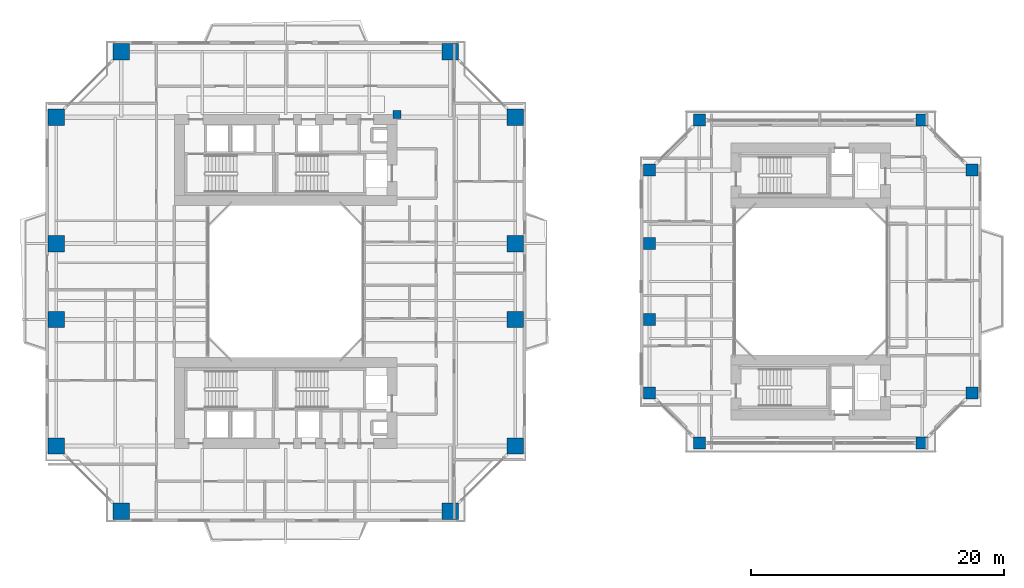
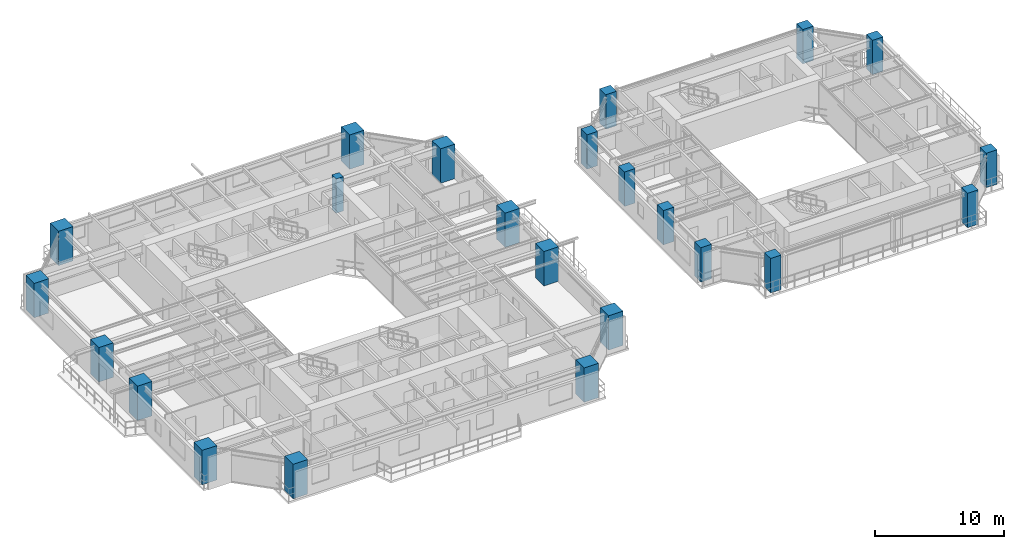
# One storey, part 1 of 23: 23 columns.
"""IFC4 building model written with IfcOpenShell, lengths in metres."""

from ifc_helpers import new_model, si_unit, direction, frame, origin, origin_2d, place, context, subcontext, project, spatial, rectangle, extrude, source, transform, mapped, material, material_profile, profile_set, type_object, element, save


model = new_model("IFC4")

# Units and contexts
model_context = context("Model", 3, precision=1e-05, world=origin(), true_north=direction((0.0, 1.0)))
body_context = subcontext(model_context, "Body", "Model", "MODEL_VIEW")
ifc_project = project(units=[si_unit("LENGTHUNIT", "METRE"), si_unit("AREAUNIT", "SQUARE_METRE"), si_unit("VOLUMEUNIT", "CUBIC_METRE"), si_unit("PLANEANGLEUNIT", "RADIAN"), si_unit("MASSUNIT", "GRAM", prefix="KILO"), si_unit("THERMODYNAMICTEMPERATUREUNIT", "KELVIN"), si_unit("POWERUNIT", "WATT")], contexts=[model_context])

# Site, building, storey
site_placement = place(None, origin())
site = spatial("IfcSite", under=ifc_project, at=site_placement, CompositionType="ELEMENT")
building_placement = place(site_placement, origin())
building = spatial("IfcBuilding", under=site, at=building_placement, Name="Qiaomeng Ring Towers", CompositionType="ELEMENT")
storey_placement = place(building_placement, frame((0.0, 0.0, 26.25)))
storey = spatial("IfcBuildingStorey", under=building, at=storey_placement, Name="L06", CompositionType="ELEMENT", Elevation=26.25)

# Columns
ifc_material_1 = material(Name="Concrete C50", Category="concrete")
ifc_material_profile_1 = material_profile(ifc_material_1, rectangle(XDim=0.64990234375, YDim=0.64990234375, at=origin_2d()), Name="RC COL 650x650")
ifc_profile_set_1 = profile_set([ifc_material_profile_1], Name="Concrete C50")
column_type_1 = type_object("IfcColumnType", Name="STR-PIL-650", PredefinedType="PILASTER", material=ifc_profile_set_1)
shared_shape_1 = source(origin(), body_context, "Body", "SweptSolid", [
    extrude(rectangle(XDim=0.64990234375, YDim=0.64990234375, at=origin_2d()), origin(), (0.0, 0.0, 1.0), 3.25),
])
column_placement = place(storey_placement, frame((27.800048828125, 36.199951171875, 0.0), z_axis=(0.0, 0.0, 1.0), x_axis=(1.0, 0.0, 0.0)))
element("IfcColumn", 1, at=column_placement, inside=storey, type_object=column_type_1, Name="L06 column STR-PIL-L06-N", PredefinedType="PILASTER", context=body_context, shape_type="MappedRepresentation", body=[
    mapped(shared_shape_1, transform((0.0, 0.0, 0.0), x_axis=(1.0, 0.0, 0.0), y_axis=(0.0, 1.0, 0.0), z_axis=(0.0, 0.0, 1.0), scale=1.0)),
])
ifc_material_2 = material(Name="Concrete C60", Category="concrete")
ifc_material_profile_2 = material_profile(ifc_material_2, rectangle(XDim=1.300048828125, YDim=1.300048828125, at=origin_2d()), Name="RC COL 1300x1300")
ifc_profile_set_2 = profile_set([ifc_material_profile_2], Name="Concrete C60")
column_type_2 = type_object("IfcColumnType", Name="STR-COL-1300", PredefinedType="COLUMN", material=ifc_profile_set_2)
shared_shape_2 = source(origin(), body_context, "Body", "SweptSolid", [
    extrude(rectangle(XDim=1.300048828125, YDim=1.300048828125, at=origin_2d()), origin(), (0.0, 0.0, 1.0), 3.25),
])
for number, where, z_axis, x_axis, name in (
    (2, (6.0, 4.85009765625, 0.0), (0.0, 0.0, 1.0), (1.0, 0.0, 0.0), "L06 column STR-COL-L06-T1-S1"),
    (3, (32.0, 4.85009765625, 0.0), (0.0, 0.0, 1.0), (1.0, 0.0, 0.0), "L06 column STR-COL-L06-T1-S2"),
    (4, (37.14990234375, 10.0, 0.0), (0.0, 0.0, 1.0), (1.0, 0.0, 0.0), "L06 column STR-COL-L06-T1-E1"),
    (5, (37.14990234375, 20.0, 0.0), (0.0, 0.0, 1.0), (1.0, 0.0, 0.0), "L06 column STR-COL-L06-T1-E2"),
    (6, (37.14990234375, 26.0, 0.0), (0.0, 0.0, 1.0), (1.0, 0.0, 0.0), "L06 column STR-COL-L06-T1-E3"),
    (7, (37.14990234375, 36.0, 0.0), (0.0, 0.0, 1.0), (1.0, 0.0, 0.0), "L06 column STR-COL-L06-T1-E4"),
    (8, (32.0, 41.14990234375, 0.0), (0.0, 0.0, 1.0), (1.0, 0.0, 0.0), "L06 column STR-COL-L06-T1-N2"),
    (9, (6.0, 41.14990234375, 0.0), (0.0, 0.0, 1.0), (1.0, 0.0, 0.0), "L06 column STR-COL-L06-T1-N1"),
    (10, (0.85009765625, 36.0, 0.0), (0.0, 0.0, 1.0), (1.0, 0.0, 0.0), "L06 column STR-COL-L06-T1-W4"),
    (11, (0.85009765625, 26.0, 0.0), (0.0, 0.0, 1.0), (1.0, 0.0, 0.0), "L06 column STR-COL-L06-T1-W3"),
    (12, (0.85009765625, 20.0, 0.0), (0.0, 0.0, 1.0), (1.0, 0.0, 0.0), "L06 column STR-COL-L06-T1-W2"),
    (13, (0.85009765625, 10.0, 0.0), (0.0, 0.0, 1.0), (1.0, 0.0, 0.0), "L06 column STR-COL-L06-T1-W1"),
):
    element("IfcColumn", number, at=place(storey_placement, frame(where, z_axis=z_axis, x_axis=x_axis)), inside=storey, type_object=column_type_2, Name=name, PredefinedType="COLUMN", context=body_context, shape_type="MappedRepresentation", body=[
        mapped(shared_shape_2, transform((0.0, 0.0, 0.0), x_axis=(1.0, 0.0, 0.0), y_axis=(0.0, 1.0, 0.0), z_axis=(0.0, 0.0, 1.0), scale=1.0)),
    ])
ifc_material_profile_3 = material_profile(ifc_material_2, rectangle(XDim=0.949951171875, YDim=0.949951171875, at=origin_2d()), Name="RC COL 950x950")
ifc_profile_set_3 = profile_set([ifc_material_profile_3], Name="Concrete C60")
column_type_3 = type_object("IfcColumnType", Name="STR-COL-950-C60", PredefinedType="COLUMN", material=ifc_profile_set_3)
shared_shape_3 = source(origin(), body_context, "Body", "SweptSolid", [
    extrude(rectangle(XDim=0.949951171875, YDim=0.949951171875, at=origin_2d()), origin(), (0.0, 0.0, 1.0), 3.25),
])
for number, where, z_axis, x_axis, name in (
    (14, (51.699951171875, 10.25, 0.0), (0.0, 0.0, 1.0), (1.0, 0.0, 0.0), "L06 column STR-COL-L06-T2-S1"),
    (15, (69.300048828125, 10.25, 0.0), (0.0, 0.0, 1.0), (1.0, 0.0, 0.0), "L06 column STR-COL-L06-T2-S2"),
    (16, (73.25, 14.199951171875, 0.0), (0.0, 0.0, 1.0), (1.0, 0.0, 0.0), "L06 column STR-COL-L06-T2-E1"),
    (17, (73.25, 31.800048828125, 0.0), (0.0, 0.0, 1.0), (1.0, 0.0, 0.0), "L06 column STR-COL-L06-T2-E2"),
    (18, (69.300048828125, 35.75, 0.0), (0.0, 0.0, 1.0), (1.0, 0.0, 0.0), "L06 column STR-COL-L06-T2-N2"),
    (19, (51.699951171875, 35.75, 0.0), (0.0, 0.0, 1.0), (1.0, 0.0, 0.0), "L06 column STR-COL-L06-T2-N1"),
    (20, (47.75, 14.199951171875, 0.0), (0.0, 0.0, 1.0), (1.0, 0.0, 0.0), "L06 column STR-COL-L06-T2-W1"),
    (21, (47.75, 20.0, 0.0), (0.0, 0.0, 1.0), (1.0, 0.0, 0.0), "L06 column STR-COL-L06-T2-W2"),
    (22, (47.75, 26.0, 0.0), (0.0, 0.0, 1.0), (1.0, 0.0, 0.0), "L06 column STR-COL-L06-T2-W3"),
    (23, (47.75, 31.800048828125, 0.0), (0.0, 0.0, 1.0), (1.0, 0.0, 0.0), "L06 column STR-COL-L06-T2-W4"),
):
    element("IfcColumn", number, at=place(storey_placement, frame(where, z_axis=z_axis, x_axis=x_axis)), inside=storey, type_object=column_type_3, Name=name, PredefinedType="COLUMN", context=body_context, shape_type="MappedRepresentation", body=[
        mapped(shared_shape_3, transform((0.0, 0.0, 0.0), x_axis=(1.0, 0.0, 0.0), y_axis=(0.0, 1.0, 0.0), z_axis=(0.0, 0.0, 1.0), scale=1.0)),
    ])

save(model, "model.ifc")
